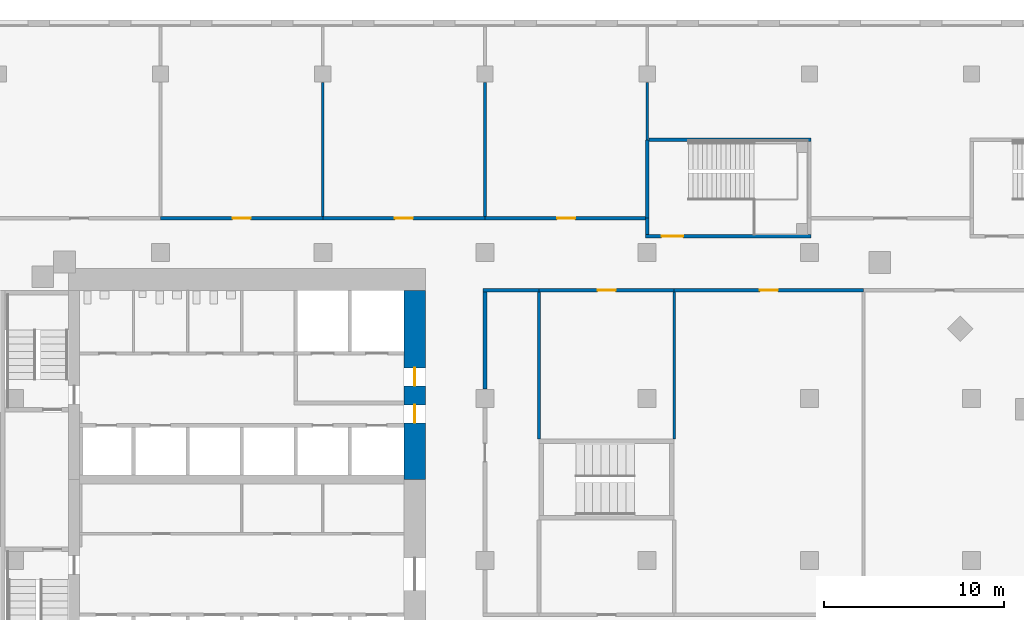
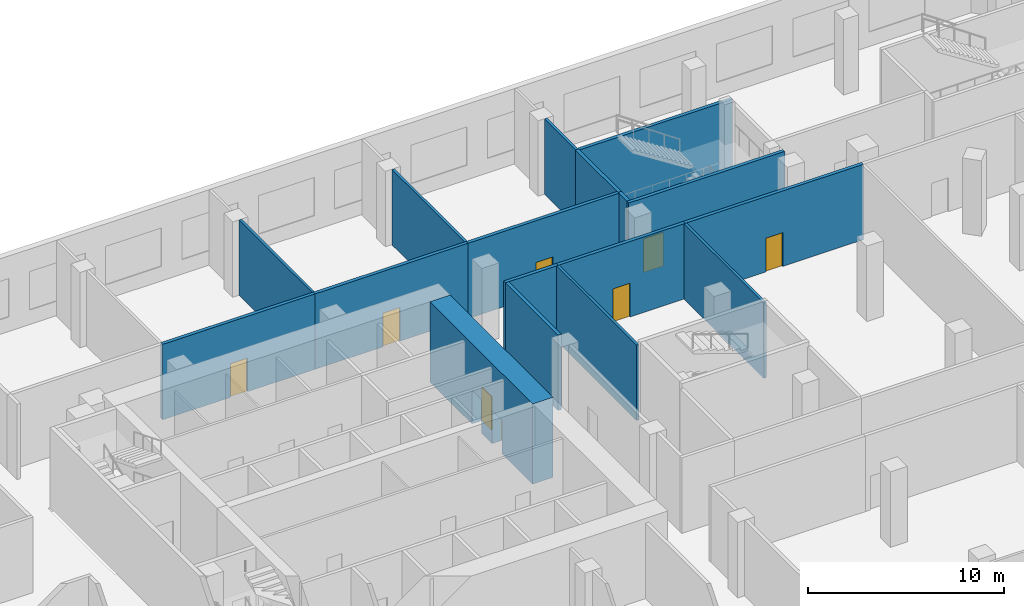
# One storey, part 14 of 23: 17 walls, 8 doors, 8 openings.
"""IFC4 building model written with IfcOpenShell, lengths in metres."""

import ifcopenshell
import ifcopenshell.guid

model = None  # the IFC model being written
_history = None  # IfcOwnerHistory: only IFC2X3 demands one
_inside = {}  # id of a spatial element -> (the spatial element, [elements in it])
_under = {}  # id of a project, library or spatial element -> (it, [spatial elements below it])
_declared = {}  # id of a project -> (the project, [libraries it declares])
_typed = {}  # id of a type object -> (the type object, [elements of that type])
_made_of = {}  # id of a material, layer set ... -> (it, [elements and type objects made of it])


def new_model(schema):
    """Start an empty IFC model of exactly this schema.

    Asked for "IFC4X3", IfcOpenShell would pick the latest addendum, in which some entities
    have other attributes; the version numbers below select the first issue.
    IFC2X3 requires an IfcOwnerHistory on every rooted entity: one is made here for all.
    """
    global model, _history
    if schema == "IFC4X3":
        model = ifcopenshell.file(schema_version=(4, 3, 0, 0))
    else:
        model = ifcopenshell.file(schema=schema)
    _inside.clear()
    _under.clear()
    _declared.clear()
    _typed.clear()
    _made_of.clear()
    _history = None
    if model.schema == "IFC2X3":
        org = make("IfcOrganization", Name="unknown")
        user = make(
            "IfcPersonAndOrganization",
            ThePerson=make("IfcPerson", FamilyName="unknown"),
            TheOrganization=org,
        )
        app = make(
            "IfcApplication",
            ApplicationDeveloper=org,
            Version="unknown",
            ApplicationFullName="unknown",
            ApplicationIdentifier="unknown",
        )
        _history = make(
            "IfcOwnerHistory",
            OwningUser=user,
            OwningApplication=app,
            ChangeAction="ADDED",
            CreationDate=0,
        )
    return model


def make(cls, **values):
    """One entity of the class cls with the attributes given. An attribute that is None is left unset."""
    return model.create_entity(
        cls, **{name: value for name, value in values.items() if value is not None}
    )


def rooted(cls, **values):
    """An entity with a GlobalId (a new one), such as an element, a storey or a relation."""
    return make(cls, GlobalId=ifcopenshell.guid.new(), OwnerHistory=_history, **values)


def si_unit(unit_type, name, prefix=None):
    """IfcSIUnit, for example si_unit("LENGTHUNIT", "METRE", prefix="MILLI")."""
    return make("IfcSIUnit", UnitType=unit_type, Prefix=prefix, Name=name)


def assignment(units):
    """IfcUnitAssignment: the units of a project."""
    return None if units is None else make("IfcUnitAssignment", Units=units)


def point(xyz):
    """IfcCartesianPoint."""
    return None if xyz is None else make("IfcCartesianPoint", Coordinates=xyz)


def direction(xyz):
    """IfcDirection."""
    return None if xyz is None else make("IfcDirection", DirectionRatios=xyz)


def frame(location, z_axis=None, x_axis=None):
    """IfcAxis2Placement3D, a coordinate frame: its origin and axes. An axis left out is left unset."""
    return make(
        "IfcAxis2Placement3D",
        Location=point(location),
        Axis=direction(z_axis),
        RefDirection=direction(x_axis),
    )


def frame_2d(location, x_axis=None):
    """IfcAxis2Placement2D, a coordinate frame in the plane: its origin and x axis."""
    return make(
        "IfcAxis2Placement2D", Location=point(location), RefDirection=direction(x_axis)
    )


def origin():
    """The frame at (0, 0, 0) with its axes left unset."""
    return frame((0.0, 0.0, 0.0))


def place(relative_to, where):
    """IfcLocalPlacement: puts the frame where relative to a parent placement (None: the world)."""
    return make(
        "IfcLocalPlacement", PlacementRelTo=relative_to, RelativePlacement=where
    )


def context(
    kind, dimensions, precision=None, world=None, true_north=None, identifier=None
):
    """IfcGeometricRepresentationContext, for example the 3D "Model" context."""
    return make(
        "IfcGeometricRepresentationContext",
        ContextIdentifier=identifier,
        ContextType=kind,
        CoordinateSpaceDimension=dimensions,
        Precision=precision,
        WorldCoordinateSystem=world,
        TrueNorth=true_north,
    )


def subcontext(parent, identifier, kind, view, scale=None):
    """IfcGeometricRepresentationSubContext, for example "Body" below "Model"."""
    return make(
        "IfcGeometricRepresentationSubContext",
        ContextIdentifier=identifier,
        ContextType=kind,
        ParentContext=parent,
        TargetScale=scale,
        TargetView=view,
    )


def project(units=None, contexts=None):
    """IfcProject with its units and contexts."""
    return rooted(
        "IfcProject",
        Name="project",
        RepresentationContexts=contexts,
        UnitsInContext=assignment(units),
    )


def spatial(cls, under=None, at=None, **own):
    """A site, building, storey or space (cls), placed at a placement, below another one or the project."""
    s = rooted(cls, ObjectPlacement=at, **own)
    if under is not None:
        _under.setdefault(under.id(), (under, []))[1].append(s)
    return s


def profile(cls, at=None, kind="AREA", **sizes):
    """A parametric profile (cls). Its sizes go by their IFC names, for example OverallWidth=200.0."""
    return make(cls, ProfileType=kind, Position=at, **sizes)


def rectangle(**sizes):
    """IfcRectangleProfileDef."""
    return profile("IfcRectangleProfileDef", **sizes)


def extrude(swept, where, along, depth):
    """IfcExtrudedAreaSolid: the profile swept, set in the frame where, extruded along a direction by depth."""
    return make(
        "IfcExtrudedAreaSolid",
        SweptArea=swept,
        Position=where,
        ExtrudedDirection=direction(along),
        Depth=depth,
    )


def shape(context_of_items, identifier, shape_type, items):
    """IfcShapeRepresentation: the items that make up one representation, for example the "Body"."""
    return make(
        "IfcShapeRepresentation",
        ContextOfItems=context_of_items,
        RepresentationIdentifier=identifier,
        RepresentationType=shape_type,
        Items=items,
    )


def material(Name=None, Category=None):
    """IfcMaterial."""
    return make("IfcMaterial", Name=Name, Category=Category)


def layer(
    of_material, thickness, ventilated=None, Name=None, Category=None, Priority=None
):
    """IfcMaterialLayer: one layer of a wall or slab, of a material (None: an air gap)."""
    return make(
        "IfcMaterialLayer",
        Material=of_material,
        LayerThickness=thickness,
        IsVentilated=ventilated,
        Name=Name,
        Category=Category,
        Priority=Priority,
    )


def layer_set(layers, Name=None):
    """IfcMaterialLayerSet."""
    return make("IfcMaterialLayerSet", MaterialLayers=layers, LayerSetName=Name)


def made_of(thing, what):
    """Note that an element or type object is made of a material, layer set ...; save() writes the relation."""
    if what is not None:
        _made_of.setdefault(what.id(), (what, []))[1].append(thing)
    return thing


def type_object(cls, material=None, **own):
    """A type object (cls), such as IfcWallType, which elements share."""
    return made_of(rooted(cls, **own), material)


def element(
    cls,
    number,
    at=None,
    inside=None,
    cuts=None,
    type_object=None,
    material=None,
    context=None,
    identifier="Body",
    shape_type=None,
    held_by="IfcProductDefinitionShape",
    body=None,
    shapes=None,
    **own,
):
    """One element of the class cls, such as IfcWall. Its Tag is "e" and its number.

    at: its placement. inside: the storey or other place that contains it. cuts: it is an
    opening in that element (IfcRelVoidsElement). A single representation is given by context,
    identifier, shape_type and body (its items); several are given by shapes. held_by: the class
    of the entity that holds the representations. save() writes the other relations.
    """
    e = rooted(cls, Tag="e%d" % number, ObjectPlacement=at, **own)
    if body is not None:
        shapes = [shape(context, identifier, shape_type, body)]
    if shapes is not None:
        e.Representation = make(held_by, Representations=shapes)
    if inside is not None:
        _inside.setdefault(inside.id(), (inside, []))[1].append(e)
    if cuts is not None:
        rooted(
            "IfcRelVoidsElement", RelatingBuildingElement=cuts, RelatedOpeningElement=e
        )
    if type_object is not None:
        _typed.setdefault(type_object.id(), (type_object, []))[1].append(e)
    return made_of(e, material)


def fill(opening, filler):
    """IfcRelFillsElement: the door or window that sits in an opening."""
    return rooted(
        "IfcRelFillsElement",
        RelatingOpeningElement=opening,
        RelatedBuildingElement=filler,
    )


def aggregate(whole, parts):
    """IfcRelAggregates: a whole, such as a stair, and the parts it consists of."""
    return rooted("IfcRelAggregates", RelatingObject=whole, RelatedObjects=parts)


def save(model, path):
    """Write the relations noted so far, then the file.

    IfcRelAggregates (storeys below a building ...), IfcRelContainedInSpatialStructure (elements
    in a storey), IfcRelDefinesByType, IfcRelAssociatesMaterial and IfcRelDeclares: one each for
    every whole, place, type object, material and project.
    """
    for whole, parts in _under.values():
        aggregate(whole, parts)
    for where, things in _inside.values():
        rooted(
            "IfcRelContainedInSpatialStructure",
            RelatedElements=things,
            RelatingStructure=where,
        )
    for kind, things in _typed.values():
        rooted("IfcRelDefinesByType", RelatedObjects=things, RelatingType=kind)
    for what, things in _made_of.values():
        rooted("IfcRelAssociatesMaterial", RelatedObjects=things, RelatingMaterial=what)
    for by, libraries in _declared.values():
        rooted("IfcRelDeclares", RelatingContext=by, RelatedDefinitions=libraries)
    model.write(path)


model = new_model("IFC4")

# Units and contexts
model_context = context("Model", 3, precision=1e-05, world=origin(), true_north=direction((0.0, 1.0)))
body_context = subcontext(model_context, "Body", "Model", "MODEL_VIEW")
ifc_project = project(units=[si_unit("LENGTHUNIT", "METRE"), si_unit("AREAUNIT", "SQUARE_METRE"), si_unit("VOLUMEUNIT", "CUBIC_METRE"), si_unit("PLANEANGLEUNIT", "RADIAN"), si_unit("MASSUNIT", "GRAM", prefix="KILO")], contexts=[model_context])

# Site, building, storey
site_placement = place(None, origin())
site = spatial("IfcSite", under=ifc_project, at=site_placement, CompositionType="ELEMENT")
building_placement = place(site_placement, origin())
building = spatial("IfcBuilding", under=site, at=building_placement, Name="Cinnabar Reach Civic Tower", CompositionType="ELEMENT")
storey_placement = place(building_placement, frame((0.0, 0.0, 6.0)))
storey = spatial("IfcBuildingStorey", under=building, at=storey_placement, Name="L01", CompositionType="ELEMENT", Elevation=6.0)

# Wall, openings, doors
ifc_material_1 = material(Name="Concrete C70", Category="concrete")
ifc_layer_1 = layer(ifc_material_1, 1.2)
ifc_layer_set_1 = layer_set([ifc_layer_1], Name="Core wall 1200 EI 180")
wall_type_1 = type_object("IfcWallType", Name="Core wall 1200 EI 180", PredefinedType="SOLIDWALL", material=ifc_layer_set_1)
wall_1_placement = place(storey_placement, frame((23.1, 31.5, 0.0), z_axis=(0.0, 0.0, 1.0), x_axis=(0.0, 1.0, 0.0)))
wall_1 = element("IfcWall", 1, at=wall_1_placement, inside=storey, type_object=wall_type_1, Name="Core wall T1 L01 E2", PredefinedType="SOLIDWALL", context=body_context, shape_type="SweptSolid", body=[
    extrude(rectangle(XDim=10.5, YDim=1.2, at=frame_2d((5.25, 0.0))), origin(), (0.0, 0.0, 1.0), 5.0),
])
opening_1_placement = place(wall_1_placement, frame((3.15, 0.0, 0.0)))
opening_1 = element("IfcOpeningElement", 2, at=opening_1_placement, cuts=wall_1, Name="Opening D3103", PredefinedType="OPENING", context=body_context, shape_type="SweptSolid", body=[
    extrude(rectangle(XDim=1.0, YDim=2.1, at=frame_2d((0.5, 1.05))), frame((0.0, 0.61, 0.0), z_axis=(0.0, -1.0, 0.0), x_axis=(1.0, 0.0, 0.0)), (0.0, 0.0, 1.0), 1.22),
])
opening_2_placement = place(wall_1_placement, frame((5.2, 0.0, 0.0)))
opening_2 = element("IfcOpeningElement", 3, at=opening_2_placement, cuts=wall_1, Name="Opening D3104", PredefinedType="OPENING", context=body_context, shape_type="SweptSolid", body=[
    extrude(rectangle(XDim=1.0, YDim=2.1, at=frame_2d((0.5, 1.05))), frame((0.0, 0.61, 0.0), z_axis=(0.0, -1.0, 0.0), x_axis=(1.0, 0.0, 0.0)), (0.0, 0.0, 1.0), 1.22),
])
ifc_material_2 = material(Name="Timber door leaf in steel frame", Category="steel")
door_type_1 = type_object("IfcDoorType", Name="Firefighting lobby door 1000 x 2100 T1", OperationType="SINGLE_SWING_LEFT", PredefinedType="DOOR", material=ifc_material_2)
door_1_placement = place(opening_2_placement, frame((1.0, 0.0, 0.0), z_axis=(0.0, 0.0, 1.0), x_axis=(-1.0, 0.0, 0.0)))
door_1 = element("IfcDoor", 4, at=door_1_placement, inside=storey, type_object=door_type_1, Name="Door D3104", OperationType="SINGLE_SWING_LEFT", OverallHeight=2.1, OverallWidth=1.0, PredefinedType="DOOR", context=body_context, shape_type="SweptSolid", body=[
    extrude(rectangle(XDim=1.0, YDim=2.1, at=frame_2d((0.5, 1.05))), frame((0.0, 0.025, 0.0), z_axis=(0.0, -1.0, 0.0), x_axis=(1.0, 0.0, 0.0)), (0.0, 0.0, 1.0), 0.05),
])
fill(opening_2, door_1)
door_type_2 = type_object("IfcDoorType", Name="Single swing door 1000 x 2100 T1", OperationType="SINGLE_SWING_LEFT", PredefinedType="DOOR", material=ifc_material_2)
door_2_placement = place(opening_1_placement, frame((1.0, 0.0, 0.0), z_axis=(0.0, 0.0, 1.0), x_axis=(-1.0, 0.0, 0.0)))
door_2 = element("IfcDoor", 5, at=door_2_placement, inside=storey, type_object=door_type_2, Name="Door D3103", OperationType="SINGLE_SWING_RIGHT", OverallHeight=2.1, OverallWidth=1.0, PredefinedType="DOOR", context=body_context, shape_type="SweptSolid", body=[
    extrude(rectangle(XDim=1.0, YDim=2.1, at=frame_2d((0.5, 1.05))), frame((0.0, 0.025, 0.0), z_axis=(0.0, -1.0, 0.0), x_axis=(1.0, 0.0, 0.0)), (0.0, 0.0, 1.0), 0.05),
])
fill(opening_1, door_2)

# Wall
ifc_material_3 = material(Name="Concrete blockwork", Category="masonry")
ifc_layer_2 = layer(ifc_material_3, 0.2)
ifc_layer_set_2 = layer_set([ifc_layer_2], Name="Podium masonry corridor wall 200 EI 120")
wall_type_2 = type_object("IfcWallType", Name="Podium masonry corridor wall 200 EI 120", PredefinedType="PARTITIONING", material=ifc_layer_set_2)
wall_2_placement = place(storey_placement, frame((26.9, 42.0, 0.0), z_axis=(0.0, 0.0, 1.0), x_axis=(1.0, 0.0, 0.0)))
element("IfcWall", 6, at=wall_2_placement, inside=storey, type_object=wall_type_2, Name="Wall L01 99", PredefinedType="PARTITIONING", context=body_context, shape_type="SweptSolid", body=[
    extrude(rectangle(XDim=3.1, YDim=0.2, at=frame_2d((1.55, 0.0))), origin(), (0.0, 0.0, 1.0), 4.7),
])

# Wall, opening, door
wall_3_placement = place(storey_placement, frame((30.0, 42.0, 0.0), z_axis=(0.0, 0.0, 1.0), x_axis=(1.0, 0.0, 0.0)))
wall_3 = element("IfcWall", 7, at=wall_3_placement, inside=storey, type_object=wall_type_2, Name="Wall L01 100", PredefinedType="PARTITIONING", context=body_context, shape_type="SweptSolid", body=[
    extrude(rectangle(XDim=7.5, YDim=0.2, at=frame_2d((3.75, 0.0))), origin(), (0.0, 0.0, 1.0), 4.7),
])
opening_3_placement = place(wall_3_placement, frame((3.25, 0.0, 0.0)))
opening_3 = element("IfcOpeningElement", 8, at=opening_3_placement, cuts=wall_3, Name="Opening D1080", PredefinedType="OPENING", context=body_context, shape_type="SweptSolid", body=[
    extrude(rectangle(XDim=1.0, YDim=2.1, at=frame_2d((0.5, 1.05))), frame((0.0, 0.11, 0.0), z_axis=(0.0, -1.0, 0.0), x_axis=(1.0, 0.0, 0.0)), (0.0, 0.0, 1.0), 0.22),
])
ifc_material_4 = material(Name="Painted steel door leaf", Category="steel")
door_type_3 = type_object("IfcDoorType", Name="Podium single door 1000x2100", OperationType="SINGLE_SWING_LEFT", PredefinedType="DOOR", material=ifc_material_4)
door_3_placement = place(opening_3_placement, frame((1.0, 0.0, 0.0), z_axis=(0.0, 0.0, 1.0), x_axis=(-1.0, 0.0, 0.0)))
door_3 = element("IfcDoor", 9, at=door_3_placement, inside=storey, type_object=door_type_3, Name="Door D1080", OperationType="SINGLE_SWING_RIGHT", OverallHeight=2.1, OverallWidth=1.0, PredefinedType="DOOR", context=body_context, shape_type="SweptSolid", body=[
    extrude(rectangle(XDim=1.0, YDim=2.1, at=frame_2d((0.5, 1.05))), frame((0.0, 0.025, 0.0), z_axis=(0.0, -1.0, 0.0), x_axis=(1.0, 0.0, 0.0)), (0.0, 0.0, 1.0), 0.05),
])
fill(opening_3, door_3)

wall_4_placement = place(storey_placement, frame((37.5, 42.0, 0.0), z_axis=(0.0, 0.0, 1.0), x_axis=(1.0, 0.0, 0.0)))
wall_4 = element("IfcWall", 10, at=wall_4_placement, inside=storey, type_object=wall_type_2, Name="Wall L01 101", PredefinedType="PARTITIONING", context=body_context, shape_type="SweptSolid", body=[
    extrude(rectangle(XDim=10.5, YDim=0.2, at=frame_2d((5.25, 0.0))), origin(), (0.0, 0.0, 1.0), 4.7),
])
opening_4_placement = place(wall_4_placement, frame((4.75, 0.0, 0.0)))
opening_4 = element("IfcOpeningElement", 11, at=opening_4_placement, cuts=wall_4, Name="Opening D1081", PredefinedType="OPENING", context=body_context, shape_type="SweptSolid", body=[
    extrude(rectangle(XDim=1.0, YDim=2.1, at=frame_2d((0.5, 1.05))), frame((0.0, 0.11, 0.0), z_axis=(0.0, -1.0, 0.0), x_axis=(1.0, 0.0, 0.0)), (0.0, 0.0, 1.0), 0.22),
])
door_4_placement = place(opening_4_placement, frame((1.0, 0.0, 0.0), z_axis=(0.0, 0.0, 1.0), x_axis=(-1.0, 0.0, 0.0)))
door_4 = element("IfcDoor", 12, at=door_4_placement, inside=storey, type_object=door_type_3, Name="Door D1081", OperationType="SINGLE_SWING_RIGHT", OverallHeight=2.1, OverallWidth=1.0, PredefinedType="DOOR", context=body_context, shape_type="SweptSolid", body=[
    extrude(rectangle(XDim=1.0, YDim=2.1, at=frame_2d((0.5, 1.05))), frame((0.0, 0.025, 0.0), z_axis=(0.0, -1.0, 0.0), x_axis=(1.0, 0.0, 0.0)), (0.0, 0.0, 1.0), 0.05),
])
fill(opening_4, door_4)

wall_5_placement = place(storey_placement, frame((9.0, 46.0, 0.0), z_axis=(0.0, 0.0, 1.0), x_axis=(1.0, 0.0, 0.0)))
wall_5 = element("IfcWall", 13, at=wall_5_placement, inside=storey, type_object=wall_type_2, Name="Wall L01 105", PredefinedType="PARTITIONING", context=body_context, shape_type="SweptSolid", body=[
    extrude(rectangle(XDim=9.0, YDim=0.2, at=frame_2d((4.5, 0.0))), origin(), (0.0, 0.0, 1.0), 4.7),
])
opening_5_placement = place(wall_5_placement, frame((4.0, 0.0, 0.0)))
opening_5 = element("IfcOpeningElement", 14, at=opening_5_placement, cuts=wall_5, Name="Opening D1089", PredefinedType="OPENING", context=body_context, shape_type="SweptSolid", body=[
    extrude(rectangle(XDim=1.0, YDim=2.1, at=frame_2d((0.5, 1.05))), frame((0.0, 0.11, 0.0), z_axis=(0.0, -1.0, 0.0), x_axis=(1.0, 0.0, 0.0)), (0.0, 0.0, 1.0), 0.22),
])
door_5_placement = place(opening_5_placement, origin())
door_5 = element("IfcDoor", 15, at=door_5_placement, inside=storey, type_object=door_type_3, Name="Door D1089", OperationType="SINGLE_SWING_LEFT", OverallHeight=2.1, OverallWidth=1.0, PredefinedType="DOOR", context=body_context, shape_type="SweptSolid", body=[
    extrude(rectangle(XDim=1.0, YDim=2.1, at=frame_2d((0.5, 1.05))), frame((0.0, 0.025, 0.0), z_axis=(0.0, -1.0, 0.0), x_axis=(1.0, 0.0, 0.0)), (0.0, 0.0, 1.0), 0.05),
])
fill(opening_5, door_5)

wall_6_placement = place(storey_placement, frame((18.0, 46.0, 0.0), z_axis=(0.0, 0.0, 1.0), x_axis=(1.0, 0.0, 0.0)))
wall_6 = element("IfcWall", 16, at=wall_6_placement, inside=storey, type_object=wall_type_2, Name="Wall L01 106", PredefinedType="PARTITIONING", context=body_context, shape_type="SweptSolid", body=[
    extrude(rectangle(XDim=9.0, YDim=0.2, at=frame_2d((4.5, 0.0))), origin(), (0.0, 0.0, 1.0), 4.7),
])
opening_6_placement = place(wall_6_placement, frame((4.0, 0.0, 0.0)))
opening_6 = element("IfcOpeningElement", 17, at=opening_6_placement, cuts=wall_6, Name="Opening D1090", PredefinedType="OPENING", context=body_context, shape_type="SweptSolid", body=[
    extrude(rectangle(XDim=1.0, YDim=2.1, at=frame_2d((0.5, 1.05))), frame((0.0, 0.11, 0.0), z_axis=(0.0, -1.0, 0.0), x_axis=(1.0, 0.0, 0.0)), (0.0, 0.0, 1.0), 0.22),
])
door_6_placement = place(opening_6_placement, origin())
door_6 = element("IfcDoor", 18, at=door_6_placement, inside=storey, type_object=door_type_3, Name="Door D1090", OperationType="SINGLE_SWING_RIGHT", OverallHeight=2.1, OverallWidth=1.0, PredefinedType="DOOR", context=body_context, shape_type="SweptSolid", body=[
    extrude(rectangle(XDim=1.0, YDim=2.1, at=frame_2d((0.5, 1.05))), frame((0.0, 0.025, 0.0), z_axis=(0.0, -1.0, 0.0), x_axis=(1.0, 0.0, 0.0)), (0.0, 0.0, 1.0), 0.05),
])
fill(opening_6, door_6)

wall_7_placement = place(storey_placement, frame((27.0, 46.0, 0.0), z_axis=(0.0, 0.0, 1.0), x_axis=(1.0, 0.0, 0.0)))
wall_7 = element("IfcWall", 19, at=wall_7_placement, inside=storey, type_object=wall_type_2, Name="Wall L01 107", PredefinedType="PARTITIONING", context=body_context, shape_type="SweptSolid", body=[
    extrude(rectangle(XDim=8.9, YDim=0.2, at=frame_2d((4.45, 0.0))), origin(), (0.0, 0.0, 1.0), 4.7),
])
opening_7_placement = place(wall_7_placement, frame((4.0, 0.0, 0.0)))
opening_7 = element("IfcOpeningElement", 20, at=opening_7_placement, cuts=wall_7, Name="Opening D1091", PredefinedType="OPENING", context=body_context, shape_type="SweptSolid", body=[
    extrude(rectangle(XDim=1.0, YDim=2.1, at=frame_2d((0.5, 1.05))), frame((0.0, 0.11, 0.0), z_axis=(0.0, -1.0, 0.0), x_axis=(1.0, 0.0, 0.0)), (0.0, 0.0, 1.0), 0.22),
])
door_7_placement = place(opening_7_placement, origin())
door_7 = element("IfcDoor", 21, at=door_7_placement, inside=storey, type_object=door_type_3, Name="Door D1091", OperationType="SINGLE_SWING_RIGHT", OverallHeight=2.1, OverallWidth=1.0, PredefinedType="DOOR", context=body_context, shape_type="SweptSolid", body=[
    extrude(rectangle(XDim=1.0, YDim=2.1, at=frame_2d((0.5, 1.05))), frame((0.0, 0.025, 0.0), z_axis=(0.0, -1.0, 0.0), x_axis=(1.0, 0.0, 0.0)), (0.0, 0.0, 1.0), 0.05),
])
fill(opening_7, door_7)

# Walls
wall_8_placement = place(storey_placement, frame((27.0, 36.52, 0.0), z_axis=(0.0, 0.0, 1.0), x_axis=(0.0, 1.0, 0.0)))
element("IfcWall", 22, at=wall_8_placement, inside=storey, type_object=wall_type_2, Name="Wall L01 115", PredefinedType="PARTITIONING", context=body_context, shape_type="SweptSolid", body=[
    extrude(rectangle(XDim=5.38, YDim=0.2, at=frame_2d((2.69, 0.0))), origin(), (0.0, 0.0, 1.0), 4.7),
])
ifc_material_5 = material(Name="Gypsum board on steel studs", Category="steel")
ifc_layer_3 = layer(ifc_material_5, 0.15)
ifc_layer_set_3 = layer_set([ifc_layer_3], Name="Podium partition wall 150 EI 90")
wall_type_3 = type_object("IfcWallType", Name="Podium partition wall 150 EI 90", PredefinedType="PARTITIONING", material=ifc_layer_set_3)
for number, where, z_axis, x_axis, name in (
    (23, (30.0, 33.75, 0.0), (0.0, 0.0, 1.0), (0.0, 1.0, 0.0), "Wall L01 209"),
    (24, (37.5, 33.75, 0.0), (0.0, 0.0, 1.0), (0.0, 1.0, 0.0), "Wall L01 211"),
):
    element("IfcWall", number, at=place(storey_placement, frame(where, z_axis=z_axis, x_axis=x_axis)), inside=storey, type_object=wall_type_3, Name=name, PredefinedType="PARTITIONING", context=body_context, shape_type="SweptSolid", body=[
        extrude(rectangle(XDim=8.15, YDim=0.15, at=frame_2d((4.075, 0.0))), origin(), (0.0, 0.0, 1.0), 4.7),
    ])
for number, where, z_axis, x_axis, name in (
    (25, (18.0, 46.1, 0.0), (0.0, 0.0, 1.0), (0.0, 1.0, 0.0), "Wall L01 223"),
    (26, (27.0, 46.1, 0.0), (0.0, 0.0, 1.0), (0.0, 1.0, 0.0), "Wall L01 225"),
):
    element("IfcWall", number, at=place(storey_placement, frame(where, z_axis=z_axis, x_axis=x_axis)), inside=storey, type_object=wall_type_3, Name=name, PredefinedType="PARTITIONING", context=body_context, shape_type="SweptSolid", body=[
        extrude(rectangle(XDim=7.43, YDim=0.15, at=frame_2d((3.715, 0.0))), origin(), (0.0, 0.0, 1.0), 4.7),
    ])
wall_9_placement = place(storey_placement, frame((36.0, 50.35, 0.0), z_axis=(0.0, 0.0, 1.0), x_axis=(0.0, 1.0, 0.0)))
element("IfcWall", 27, at=wall_9_placement, inside=storey, type_object=wall_type_3, Name="Wall L01 227", PredefinedType="PARTITIONING", context=body_context, shape_type="SweptSolid", body=[
    extrude(rectangle(XDim=3.18, YDim=0.15, at=frame_2d((1.59, 0.0))), origin(), (0.0, 0.0, 1.0), 4.7),
])

# Wall, opening, door
ifc_material_6 = material(Name="Concrete C40", Category="concrete")
ifc_layer_4 = layer(ifc_material_6, 0.2)
ifc_layer_set_4 = layer_set([ifc_layer_4], Name="Podium stair shaft wall 200 EI 120")
wall_type_4 = type_object("IfcWallType", Name="Podium stair shaft wall 200 EI 120", PredefinedType="SOLIDWALL", material=ifc_layer_set_4)
wall_10_placement = place(storey_placement, frame((35.9, 45.0, 0.0), z_axis=(0.0, 0.0, 1.0), x_axis=(1.0, 0.0, 0.0)))
wall_10 = element("IfcWall", 28, at=wall_10_placement, inside=storey, type_object=wall_type_4, Name="Wall L01 23", PredefinedType="SOLIDWALL", context=body_context, shape_type="SweptSolid", body=[
    extrude(rectangle(XDim=9.2, YDim=0.2, at=frame_2d((4.6, 0.0))), origin(), (0.0, 0.0, 1.0), 4.7),
])
opening_8_placement = place(wall_10_placement, frame((0.9, 0.0, 0.0)))
opening_8 = element("IfcOpeningElement", 29, at=opening_8_placement, cuts=wall_10, Name="Opening D1098", PredefinedType="OPENING", context=body_context, shape_type="SweptSolid", body=[
    extrude(rectangle(XDim=1.2, YDim=2.1, at=frame_2d((0.6, 1.05))), frame((0.0, 0.11, 0.0), z_axis=(0.0, -1.0, 0.0), x_axis=(1.0, 0.0, 0.0)), (0.0, 0.0, 1.0), 0.22),
])
door_type_4 = type_object("IfcDoorType", Name="Podium single door 1200x2100", OperationType="SINGLE_SWING_LEFT", PredefinedType="DOOR", material=ifc_material_4)
door_8_placement = place(opening_8_placement, origin())
door_8 = element("IfcDoor", 30, at=door_8_placement, inside=storey, type_object=door_type_4, Name="Door D1098", OperationType="SINGLE_SWING_LEFT", OverallHeight=2.1, OverallWidth=1.2, PredefinedType="DOOR", context=body_context, shape_type="SweptSolid", body=[
    extrude(rectangle(XDim=1.2, YDim=2.1, at=frame_2d((0.6, 1.05))), frame((0.0, 0.025, 0.0), z_axis=(0.0, -1.0, 0.0), x_axis=(1.0, 0.0, 0.0)), (0.0, 0.0, 1.0), 0.05),
])
fill(opening_8, door_8)

# Walls
wall_11_placement = place(storey_placement, frame((36.0, 45.1, 0.0), z_axis=(0.0, 0.0, 1.0), x_axis=(0.0, 1.0, 0.0)))
element("IfcWall", 31, at=wall_11_placement, inside=storey, type_object=wall_type_4, Name="Wall L01 24", PredefinedType="SOLIDWALL", context=body_context, shape_type="SweptSolid", body=[
    extrude(rectangle(XDim=0.9, YDim=0.2, at=frame_2d((0.45, 0.0))), origin(), (0.0, 0.0, 1.0), 4.7),
])
wall_12_placement = place(storey_placement, frame((36.0, 46.0, 0.0), z_axis=(0.0, 0.0, 1.0), x_axis=(0.0, 1.0, 0.0)))
element("IfcWall", 32, at=wall_12_placement, inside=storey, type_object=wall_type_4, Name="Wall L01 25", PredefinedType="SOLIDWALL", context=body_context, shape_type="SweptSolid", body=[
    extrude(rectangle(XDim=4.35, YDim=0.2, at=frame_2d((2.175, 0.0))), origin(), (0.0, 0.0, 1.0), 4.7),
])
wall_13_placement = place(storey_placement, frame((36.1, 50.35, 0.0), z_axis=(0.0, 0.0, 1.0), x_axis=(1.0, 0.0, 0.0)))
element("IfcWall", 33, at=wall_13_placement, inside=storey, type_object=wall_type_4, Name="Wall L01 26", PredefinedType="SOLIDWALL", context=body_context, shape_type="SweptSolid", body=[
    extrude(rectangle(XDim=9.0, YDim=0.2, at=frame_2d((4.5, 0.0))), origin(), (0.0, 0.0, 1.0), 4.7),
])

save(model, "model.ifc")
